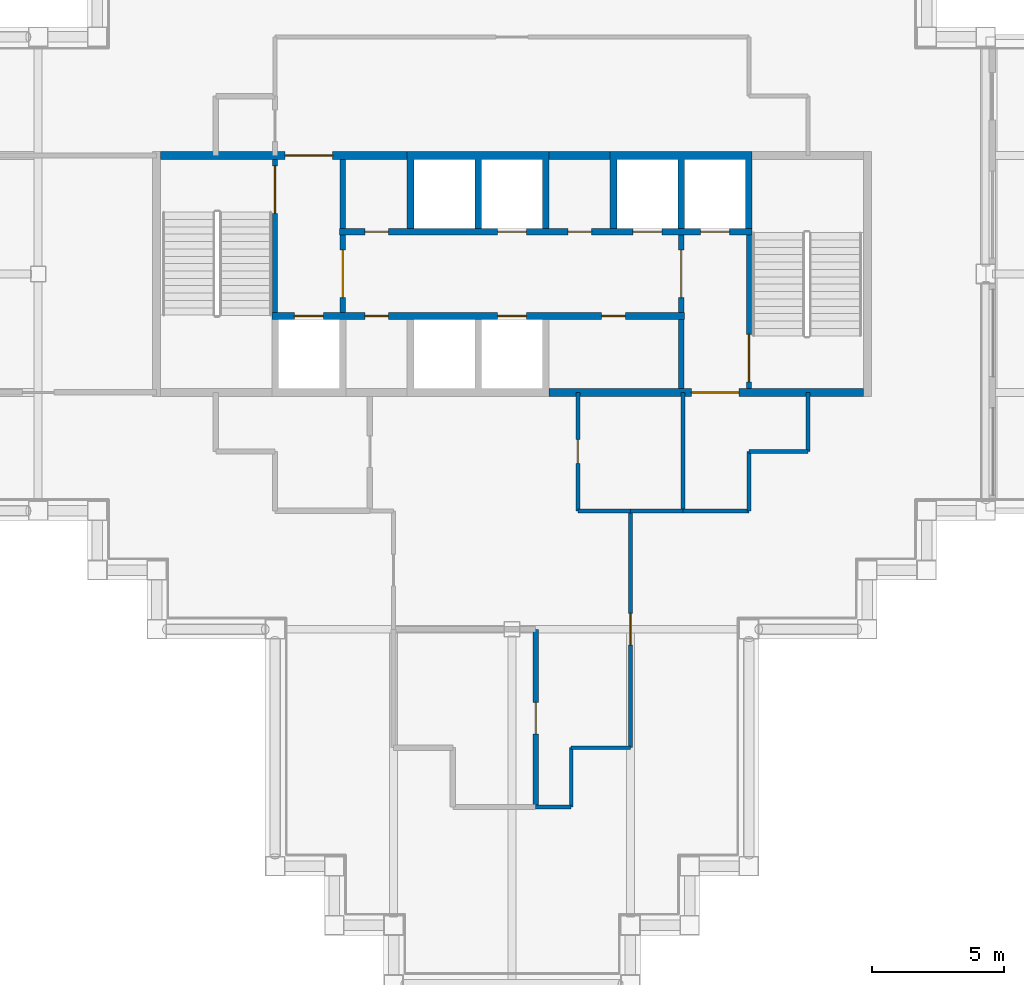
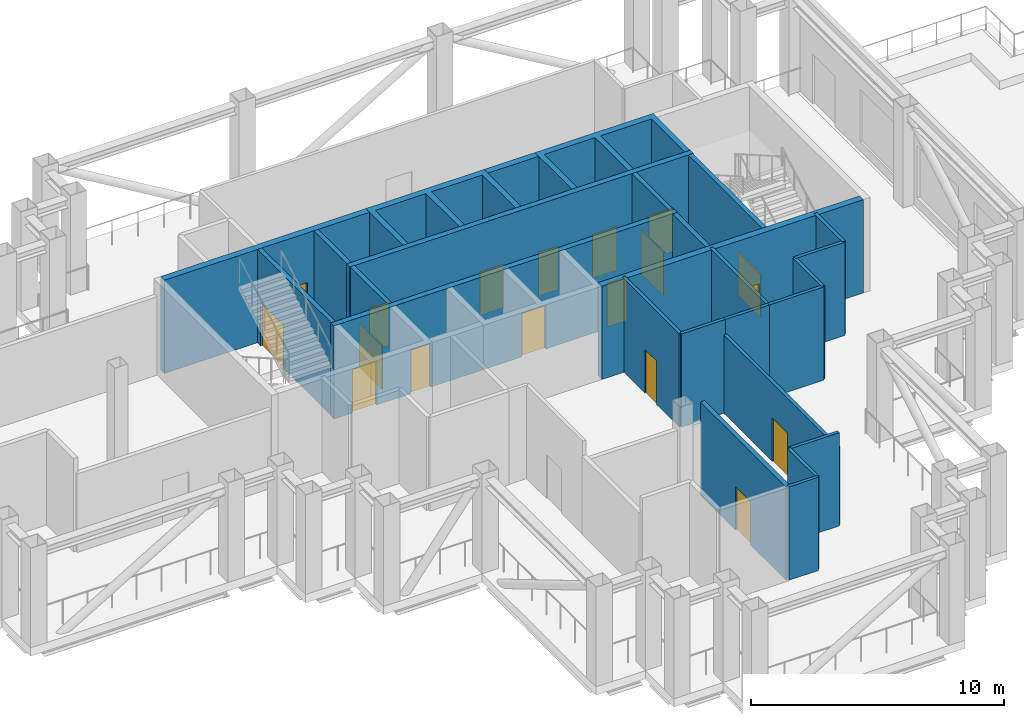
# One storey, part 3 of 10: 26 walls, 18 doors, 18 openings.
"""IFC4 building model written with IfcOpenShell, lengths in metres."""

from ifc_helpers import new_model, si_unit, direction, frame, frame_2d, origin, place, context, subcontext, project, spatial, polyline, rectangle, outline, extrude, material, layer, layer_set, type_object, element, fill, save


model = new_model("IFC4")

# Units and contexts
model_context = context("Model", 3, precision=1e-05, world=origin(), true_north=direction((0.0, 1.0)))
body_context = subcontext(model_context, "Body", "Model", "MODEL_VIEW")
ifc_project = project(units=[si_unit("LENGTHUNIT", "METRE"), si_unit("AREAUNIT", "SQUARE_METRE"), si_unit("VOLUMEUNIT", "CUBIC_METRE"), si_unit("PLANEANGLEUNIT", "RADIAN"), si_unit("MASSUNIT", "GRAM", prefix="KILO")], contexts=[model_context])

# Site, building, storey
site_placement = place(None, origin())
site = spatial("IfcSite", under=ifc_project, at=site_placement, CompositionType="ELEMENT")
building_placement = place(site_placement, origin())
building = spatial("IfcBuilding", under=site, at=building_placement, Name="Caravel Reach Hotel and Residences", CompositionType="ELEMENT")
storey_placement = place(building_placement, frame((0.0, 0.0, 187.60009765625)))
storey = spatial("IfcBuildingStorey", under=building, at=storey_placement, Name="L47", CompositionType="ELEMENT", Elevation=187.60009765625)

# Walls
ifc_material_1 = material(Name="Autoclaved aerated block wall")
ifc_layer_1 = layer(ifc_material_1, 0.199951171875)
ifc_layer_set_1 = layer_set([ifc_layer_1], Name="Compartment wall 200 mm EI 120")
wall_type_1 = type_object("IfcWallType", Name="Compartment wall 200 mm EI 120", PredefinedType="PARTITIONING", material=ifc_layer_set_1)
for number, where, z_axis, x_axis, name in (
    (1, (37.928466796875, 22.64990234375, 0.0), (0.0, 0.0, 1.0), (0.0, 1.0, 0.0), "L47 store partition"),
    (2, (25.071533203125, 28.72509765625, 0.0), (0.0, 0.0, 1.0), (0.0, 1.0, 0.0), "L47 store partition"),
):
    element("IfcWall", number, at=place(storey_placement, frame(where, z_axis=z_axis, x_axis=x_axis)), inside=storey, type_object=wall_type_1, Name=name, PredefinedType="PARTITIONING", context=body_context, shape_type="SweptSolid", body=[
        extrude(rectangle(XDim=2.625, YDim=0.199951171875, at=frame_2d((1.3125, 0.0))), origin(), (0.0, 0.0, 1.0), 4.5),
    ])

# Wall, opening, door
wall_1_placement = place(storey_placement, frame((32.39990234375, 6.75, 0.0), z_axis=(0.0, 0.0, 1.0), x_axis=(0.0, 1.0, 0.0)))
wall_1 = element("IfcWall", 3, at=wall_1_placement, inside=storey, type_object=wall_type_1, Name="L47 wall w037", PredefinedType="PARTITIONING", context=body_context, shape_type="SweptSolid", body=[
    extrude(rectangle(XDim=6.75, YDim=0.199951171875, at=frame_2d((3.375, 0.0))), origin(), (0.0, 0.0, 1.0), 4.5),
])
opening_1_placement = place(wall_1_placement, frame((2.77490234375, 0.0, 0.0)))
opening_1 = element("IfcOpeningElement", 4, at=opening_1_placement, cuts=wall_1, Name="Opening D47-017", PredefinedType="OPENING", context=body_context, shape_type="SweptSolid", body=[
    extrude(rectangle(XDim=1.199951171875, YDim=2.10009765625, at=frame_2d((0.60009765625, 1.050048828125))), frame((0.0, 0.10986328125, 0.0), z_axis=(0.0, -1.0, 0.0), x_axis=(1.0, 0.0, 0.0)), (0.0, 0.0, 1.0), 0.219970703125),
])
ifc_material_2 = material(Name="Steel fire door leaf", Category="steel")
door_type_1 = type_object("IfcDoorType", Name="Plant room door 1200 x 2100 EI 60", OperationType="SINGLE_SWING_LEFT", PredefinedType="DOOR", material=ifc_material_2)
door_1_placement = place(opening_1_placement, origin())
door_1 = element("IfcDoor", 5, at=door_1_placement, inside=storey, type_object=door_type_1, Name="door D47-017", OperationType="SINGLE_SWING_LEFT", OverallHeight=2.10009765625, OverallWidth=1.199951171875, PredefinedType="DOOR", context=body_context, shape_type="SweptSolid", body=[
    extrude(rectangle(XDim=1.199951171875, YDim=2.10009765625, at=frame_2d((0.60009765625, 1.050048828125))), frame((0.0, 0.02490234375, 0.0), z_axis=(0.0, -1.0, 0.0), x_axis=(1.0, 0.0, 0.0)), (0.0, 0.0, 1.0), 0.050048828125),
])
fill(opening_1, door_1)

ifc_material_3 = material(Name="Concrete C60", Category="concrete")
ifc_layer_2 = layer(ifc_material_3, 0.300048828125)
ifc_layer_set_2 = layer_set([ifc_layer_2], Name="Core wall 300 mm EI 120")
wall_type_2 = type_object("IfcWallType", Name="Core wall 300 mm EI 120", PredefinedType="SHEAR", material=ifc_layer_set_2)
wall_2_placement = place(storey_placement, frame((32.91064453125, 22.5, 0.0), z_axis=(0.0, 0.0, 1.0), x_axis=(1.0, 0.0, 0.0)))
wall_2 = element("IfcWall", 6, at=wall_2_placement, inside=storey, type_object=wall_type_2, Name="L47 core wall S3", PredefinedType="SHEAR", context=body_context, shape_type="SweptSolid", body=[
    extrude(rectangle(XDim=11.939453125, YDim=0.300048828125, at=frame_2d((5.9697265625, 0.0))), origin(), (0.0, 0.0, 1.0), 4.5),
])
opening_2_placement = place(wall_2_placement, frame((5.403564453125, 0.0, 0.0)))
opening_2 = element("IfcOpeningElement", 7, at=opening_2_placement, cuts=wall_2, Name="Opening D47-015", PredefinedType="OPENING", context=body_context, shape_type="SweptSolid", body=[
    extrude(rectangle(XDim=1.800048828125, YDim=2.10009765625, at=frame_2d((0.89990234375, 1.050048828125))), frame((0.0, 0.159912109375, 0.0), z_axis=(0.0, -1.0, 0.0), x_axis=(1.0, 0.0, 0.0)), (0.0, 0.0, 1.0), 0.320068359375),
])
ifc_material_4 = material(Name="Steel fire door leaf", Category="steel")
door_type_2 = type_object("IfcDoorType", Name="Fire lobby door pair 1800 x 2100 EI 90", OperationType="DOUBLE_DOOR_SINGLE_SWING", PredefinedType="DOOR", material=ifc_material_4)
door_2_placement = place(opening_2_placement, origin())
door_2 = element("IfcDoor", 8, at=door_2_placement, inside=storey, type_object=door_type_2, Name="lobby S door pair to corridor", OperationType="DOUBLE_DOOR_SINGLE_SWING", OverallHeight=2.10009765625, OverallWidth=1.800048828125, PredefinedType="DOOR", context=body_context, shape_type="SweptSolid", body=[
    extrude(rectangle(XDim=1.800048828125, YDim=2.10009765625, at=frame_2d((0.89990234375, 1.050048828125))), frame((0.0, 0.02490234375, 0.0), z_axis=(0.0, -1.0, 0.0), x_axis=(1.0, 0.0, 0.0)), (0.0, 0.0, 1.0), 0.050048828125),
])
fill(opening_2, door_2)

wall_3_placement = place(storey_placement, frame((18.14990234375, 31.5, 0.0), z_axis=(0.0, 0.0, 1.0), x_axis=(1.0, 0.0, 0.0)))
wall_3 = element("IfcWall", 9, at=wall_3_placement, inside=storey, type_object=wall_type_2, Name="L47 core wall N1", PredefinedType="SHEAR", context=body_context, shape_type="SweptSolid", body=[
    extrude(rectangle(XDim=9.367919921875, YDim=0.300048828125, at=frame_2d((4.68408203125, 0.0))), origin(), (0.0, 0.0, 1.0), 4.5),
])
opening_3_placement = place(wall_3_placement, frame((4.735595703125, 0.0, 0.0)))
opening_3 = element("IfcOpeningElement", 10, at=opening_3_placement, cuts=wall_3, Name="Opening D47-014", PredefinedType="OPENING", context=body_context, shape_type="SweptSolid", body=[
    extrude(rectangle(XDim=1.800048828125, YDim=2.10009765625, at=frame_2d((0.89990234375, 1.050048828125))), frame((0.0, 0.159912109375, 0.0), z_axis=(0.0, -1.0, 0.0), x_axis=(1.0, 0.0, 0.0)), (0.0, 0.0, 1.0), 0.320068359375),
])
door_3_placement = place(opening_3_placement, origin())
door_3 = element("IfcDoor", 11, at=door_3_placement, inside=storey, type_object=door_type_2, Name="lobby N door pair to corridor", OperationType="DOUBLE_DOOR_SINGLE_SWING", OverallHeight=2.10009765625, OverallWidth=1.800048828125, PredefinedType="DOOR", context=body_context, shape_type="SweptSolid", body=[
    extrude(rectangle(XDim=1.800048828125, YDim=2.10009765625, at=frame_2d((0.89990234375, 1.050048828125))), frame((0.0, 0.02490234375, 0.0), z_axis=(0.0, -1.0, 0.0), x_axis=(1.0, 0.0, 0.0)), (0.0, 0.0, 1.0), 0.050048828125),
])
fill(opening_3, door_3)

# Walls
wall_4_placement = place(storey_placement, frame((32.91064453125, 31.5, 0.0), z_axis=(0.0, 0.0, 1.0), x_axis=(1.0, 0.0, 0.0)))
element("IfcWall", 12, at=wall_4_placement, inside=storey, type_object=wall_type_2, Name="L47 core wall N2", PredefinedType="SHEAR", context=body_context, shape_type="SweptSolid", body=[
    extrude(rectangle(XDim=2.321533203125, YDim=0.300048828125, at=frame_2d((1.16064453125, 0.0))), origin(), (0.0, 0.0, 1.0), 4.5),
])
ifc_material_5 = material(Name="Gypsum board on steel stud, fire-rated", Category="steel")
ifc_layer_3 = layer(ifc_material_5, 0.14990234375)
ifc_layer_set_3 = layer_set([ifc_layer_3], Name="Corridor wall 150 mm EI 60")
wall_type_3 = type_object("IfcWallType", Name="Corridor wall 150 mm EI 60", PredefinedType="PARTITIONING", material=ifc_layer_set_3)
wall_5_placement = place(storey_placement, frame((38.0, 18.0, 0.0), z_axis=(0.0, 0.0, 1.0), x_axis=(1.0, 0.0, 0.0)))
element("IfcWall", 13, at=wall_5_placement, inside=storey, type_object=wall_type_3, Name="L47 wall w002", PredefinedType="PARTITIONING", context=body_context, shape_type="SweptSolid", body=[
    extrude(rectangle(XDim=2.5, YDim=0.14990234375, at=frame_2d((1.25, 0.0))), origin(), (0.0, 0.0, 1.0), 4.5),
])
for number, where, z_axis, x_axis, name in (
    (14, (36.0, 18.0, 0.0), (0.0, 0.0, 1.0), (1.0, 0.0, 0.0), "L47 wall w003"),
    (15, (34.0, 18.0, 0.0), (0.0, 0.0, 1.0), (1.0, 0.0, 0.0), "L47 wall w004"),
):
    element("IfcWall", number, at=place(storey_placement, frame(where, z_axis=z_axis, x_axis=x_axis)), inside=storey, type_object=wall_type_3, Name=name, PredefinedType="PARTITIONING", context=body_context, shape_type="SweptSolid", body=[
        extrude(rectangle(XDim=2.0, YDim=0.14990234375, at=frame_2d((1.0, 0.0))), origin(), (0.0, 0.0, 1.0), 4.5),
    ])
wall_6_placement = place(storey_placement, frame((40.5, 20.25, 0.0), z_axis=(0.0, 0.0, 1.0), x_axis=(1.0, 0.0, 0.0)))
element("IfcWall", 16, at=wall_6_placement, inside=storey, type_object=wall_type_3, Name="L47 wall w005", PredefinedType="PARTITIONING", context=body_context, shape_type="SweptSolid", body=[
    extrude(rectangle(XDim=2.25, YDim=0.14990234375, at=frame_2d((1.125, 0.0))), origin(), (0.0, 0.0, 1.0), 4.5),
])
wall_7_placement = place(storey_placement, frame((32.39990234375, 6.75, 0.0), z_axis=(0.0, 0.0, 1.0), x_axis=(1.0, 0.0, 0.0)))
element("IfcWall", 17, at=wall_7_placement, inside=storey, type_object=wall_type_3, Name="L47 wall w008", PredefinedType="PARTITIONING", context=body_context, shape_type="SweptSolid", body=[
    extrude(rectangle(XDim=1.35009765625, YDim=0.14990234375, at=frame_2d((0.675048828125, 0.0))), origin(), (0.0, 0.0, 1.0), 4.5),
])
for number, where, z_axis, x_axis, name in (
    (18, (33.75, 9.0, 0.0), (0.0, 0.0, 1.0), (1.0, 0.0, 0.0), "L47 wall w009"),
    (19, (33.75, 6.75, 0.0), (0.0, 0.0, 1.0), (0.0, 1.0, 0.0), "L47 wall w012"),
):
    element("IfcWall", number, at=place(storey_placement, frame(where, z_axis=z_axis, x_axis=x_axis)), inside=storey, type_object=wall_type_3, Name=name, PredefinedType="PARTITIONING", context=body_context, shape_type="SweptSolid", body=[
        extrude(rectangle(XDim=2.25, YDim=0.14990234375, at=frame_2d((1.125, 0.0))), origin(), (0.0, 0.0, 1.0), 4.5),
    ])

# Wall, opening, door
wall_8_placement = place(storey_placement, frame((34.0, 18.0, 0.0), z_axis=(0.0, 0.0, 1.0), x_axis=(0.0, 1.0, 0.0)))
wall_8 = element("IfcWall", 20, at=wall_8_placement, inside=storey, type_object=wall_type_3, Name="L47 wall w013", PredefinedType="PARTITIONING", context=body_context, shape_type="SweptSolid", body=[
    extrude(rectangle(XDim=4.5, YDim=0.14990234375, at=frame_2d((2.25, 0.0))), origin(), (0.0, 0.0, 1.0), 4.5),
])
opening_4_placement = place(wall_8_placement, frame((1.800048828125, 0.0, 0.0)))
opening_4 = element("IfcOpeningElement", 21, at=opening_4_placement, cuts=wall_8, Name="Opening D47-019", PredefinedType="OPENING", context=body_context, shape_type="SweptSolid", body=[
    extrude(rectangle(XDim=0.89990234375, YDim=2.10009765625, at=frame_2d((0.449951171875, 1.050048828125))), frame((0.0, 0.0849609375, 0.0), z_axis=(0.0, -1.0, 0.0), x_axis=(1.0, 0.0, 0.0)), (0.0, 0.0, 1.0), 0.169921875),
])
ifc_material_6 = material(Name="Timber and steel door leaf", Category="steel")
door_type_3 = type_object("IfcDoorType", Name="Door 900 x 2100 timber", OperationType="SINGLE_SWING_LEFT", PredefinedType="DOOR", material=ifc_material_6)
door_4_placement = place(opening_4_placement, origin())
door_4 = element("IfcDoor", 22, at=door_4_placement, inside=storey, type_object=door_type_3, Name="door D47-019", OperationType="SINGLE_SWING_LEFT", OverallHeight=2.10009765625, OverallWidth=0.89990234375, PredefinedType="DOOR", context=body_context, shape_type="SweptSolid", body=[
    extrude(rectangle(XDim=0.89990234375, YDim=2.10009765625, at=frame_2d((0.449951171875, 1.050048828125))), frame((0.0, 0.02490234375, 0.0), z_axis=(0.0, -1.0, 0.0), x_axis=(1.0, 0.0, 0.0)), (0.0, 0.0, 1.0), 0.050048828125),
])
fill(opening_4, door_4)

wall_9_placement = place(storey_placement, frame((36.0, 9.0, 0.0), z_axis=(0.0, 0.0, 1.0), x_axis=(0.0, 1.0, 0.0)))
wall_9 = element("IfcWall", 23, at=wall_9_placement, inside=storey, type_object=wall_type_3, Name="L47 wall w014", PredefinedType="PARTITIONING", context=body_context, shape_type="SweptSolid", body=[
    extrude(rectangle(XDim=9.0, YDim=0.14990234375, at=frame_2d((4.5, 0.0))), origin(), (0.0, 0.0, 1.0), 3.77978515625),
])
opening_5_placement = place(wall_9_placement, frame((3.89990234375, 0.0, 0.0)))
opening_5 = element("IfcOpeningElement", 24, at=opening_5_placement, cuts=wall_9, Name="Opening D47-021", PredefinedType="OPENING", context=body_context, shape_type="SweptSolid", body=[
    extrude(rectangle(XDim=1.199951171875, YDim=2.10009765625, at=frame_2d((0.60009765625, 1.050048828125))), frame((0.0, 0.0849609375, 0.0), z_axis=(0.0, -1.0, 0.0), x_axis=(1.0, 0.0, 0.0)), (0.0, 0.0, 1.0), 0.169921875),
])
ifc_material_7 = material(Name="Steel fire door leaf", Category="steel")
door_type_4 = type_object("IfcDoorType", Name="Refuge hall door 1200 x 2100 EI 60", OperationType="SINGLE_SWING_LEFT", PredefinedType="DOOR", material=ifc_material_7)
door_5_placement = place(opening_5_placement, origin())
door_5 = element("IfcDoor", 25, at=door_5_placement, inside=storey, type_object=door_type_4, Name="door D47-021", OperationType="SINGLE_SWING_LEFT", OverallHeight=2.10009765625, OverallWidth=1.199951171875, PredefinedType="DOOR", context=body_context, shape_type="SweptSolid", body=[
    extrude(rectangle(XDim=1.199951171875, YDim=2.10009765625, at=frame_2d((0.60009765625, 1.050048828125))), frame((0.0, 0.02490234375, 0.0), z_axis=(0.0, -1.0, 0.0), x_axis=(1.0, 0.0, 0.0)), (0.0, 0.0, 1.0), 0.050048828125),
])
fill(opening_5, door_5)

# Walls
wall_10_placement = place(storey_placement, frame((38.0, 18.0, 0.0), z_axis=(0.0, 0.0, 1.0), x_axis=(0.0, 1.0, 0.0)))
element("IfcWall", 26, at=wall_10_placement, inside=storey, type_object=wall_type_3, Name="L47 wall w015", PredefinedType="PARTITIONING", context=body_context, shape_type="SweptSolid", body=[
    extrude(rectangle(XDim=4.5, YDim=0.14990234375, at=frame_2d((2.25, 0.0))), origin(), (0.0, 0.0, 1.0), 4.5),
])
for number, where, z_axis, x_axis, name in (
    (27, (40.5, 18.0, 0.0), (0.0, 0.0, 1.0), (0.0, 1.0, 0.0), "L47 wall w017"),
    (28, (42.75, 20.25, 0.0), (0.0, 0.0, 1.0), (0.0, 1.0, 0.0), "L47 wall w019"),
):
    element("IfcWall", number, at=place(storey_placement, frame(where, z_axis=z_axis, x_axis=x_axis)), inside=storey, type_object=wall_type_3, Name=name, PredefinedType="PARTITIONING", context=body_context, shape_type="SweptSolid", body=[
        extrude(rectangle(XDim=2.25, YDim=0.14990234375, at=frame_2d((1.125, 0.0))), origin(), (0.0, 0.0, 1.0), 4.5),
    ])

# Wall, opening, door
ifc_material_8 = material(Name="Autoclaved aerated block wall")
ifc_layer_4 = layer(ifc_material_8, 0.199951171875)
ifc_layer_set_4 = layer_set([ifc_layer_4], Name="Fire lobby wall 200 mm EI 120")
wall_type_4 = type_object("IfcWallType", Name="Fire lobby wall 200 mm EI 120", PredefinedType="PARTITIONING", material=ifc_layer_set_4)
wall_11_placement = place(storey_placement, frame((25.071533203125, 25.52490234375, 0.0), z_axis=(0.0, 0.0, 1.0), x_axis=(0.0, 1.0, 0.0)))
wall_11 = element("IfcWall", 29, at=wall_11_placement, inside=storey, type_object=wall_type_4, Name="L47 lobby W wall", PredefinedType="PARTITIONING", context=body_context, shape_type="SweptSolid", body=[
    extrude(rectangle(XDim=2.9501953125, YDim=0.199951171875, at=frame_2d((1.47509765625, 0.0))), origin(), (0.0, 0.0, 1.0), 4.5),
])
opening_6_placement = place(wall_11_placement, frame((0.574951171875, 0.0, 0.0)))
opening_6 = element("IfcOpeningElement", 30, at=opening_6_placement, cuts=wall_11, Name="Opening D47-012", PredefinedType="OPENING", context=body_context, shape_type="SweptSolid", body=[
    extrude(rectangle(XDim=1.800048828125, YDim=2.10009765625, at=frame_2d((0.89990234375, 1.050048828125))), frame((0.0, 0.10986328125, 0.0), z_axis=(0.0, -1.0, 0.0), x_axis=(1.0, 0.0, 0.0)), (0.0, 0.0, 1.0), 0.219970703125),
])
door_6_placement = place(opening_6_placement, origin())
door_6 = element("IfcDoor", 31, at=door_6_placement, inside=storey, type_object=door_type_2, Name="lobby W door pair", OperationType="DOUBLE_DOOR_SINGLE_SWING", OverallHeight=2.10009765625, OverallWidth=1.800048828125, PredefinedType="DOOR", context=body_context, shape_type="SweptSolid", body=[
    extrude(rectangle(XDim=1.800048828125, YDim=2.10009765625, at=frame_2d((0.89990234375, 1.050048828125))), frame((0.0, 0.02490234375, 0.0), z_axis=(0.0, -1.0, 0.0), x_axis=(1.0, 0.0, 0.0)), (0.0, 0.0, 1.0), 0.050048828125),
])
fill(opening_6, door_6)

wall_12_placement = place(storey_placement, frame((37.928466796875, 25.52490234375, 0.0), z_axis=(0.0, 0.0, 1.0), x_axis=(0.0, 1.0, 0.0)))
wall_12 = element("IfcWall", 32, at=wall_12_placement, inside=storey, type_object=wall_type_4, Name="L47 lobby E wall", PredefinedType="PARTITIONING", context=body_context, shape_type="SweptSolid", body=[
    extrude(rectangle(XDim=2.9501953125, YDim=0.199951171875, at=frame_2d((1.47509765625, 0.0))), origin(), (0.0, 0.0, 1.0), 4.5),
])
opening_7_placement = place(wall_12_placement, frame((0.574951171875, 0.0, 0.0)))
opening_7 = element("IfcOpeningElement", 33, at=opening_7_placement, cuts=wall_12, Name="Opening D47-013", PredefinedType="OPENING", context=body_context, shape_type="SweptSolid", body=[
    extrude(rectangle(XDim=1.800048828125, YDim=2.10009765625, at=frame_2d((0.89990234375, 1.050048828125))), frame((0.0, 0.10986328125, 0.0), z_axis=(0.0, -1.0, 0.0), x_axis=(1.0, 0.0, 0.0)), (0.0, 0.0, 1.0), 0.219970703125),
])
door_7_placement = place(opening_7_placement, origin())
door_7 = element("IfcDoor", 34, at=door_7_placement, inside=storey, type_object=door_type_2, Name="lobby E door pair", OperationType="DOUBLE_DOOR_SINGLE_SWING", OverallHeight=2.10009765625, OverallWidth=1.800048828125, PredefinedType="DOOR", context=body_context, shape_type="SweptSolid", body=[
    extrude(rectangle(XDim=1.800048828125, YDim=2.10009765625, at=frame_2d((0.89990234375, 1.050048828125))), frame((0.0, 0.02490234375, 0.0), z_axis=(0.0, -1.0, 0.0), x_axis=(1.0, 0.0, 0.0)), (0.0, 0.0, 1.0), 0.050048828125),
])
fill(opening_7, door_7)

# Walls
ifc_material_9 = material(Name="Concrete C60", Category="concrete")
ifc_layer_5 = layer(ifc_material_9, 0.25)
ifc_layer_set_5 = layer_set([ifc_layer_5], Name="Shaft wall 250 mm EI 120")
wall_type_5 = type_object("IfcWallType", Name="Shaft wall 250 mm EI 120", PredefinedType="SHEAR", material=ifc_layer_set_5)
wall_13_placement = place(storey_placement, origin())
element("IfcWall", 35, at=wall_13_placement, inside=storey, type_object=wall_type_5, Name="L47 lift shaft wall N1", PredefinedType="SHEAR", context=body_context, shape_type="SweptSolid", body=[
    extrude(outline(polyline([(27.517822265625, 28.72509765625), (27.767822265625, 28.72509765625), (27.767822265625, 31.35009765625), (30.08935546875, 31.35009765625), (30.08935546875, 28.72509765625), (30.33935546875, 28.72509765625), (30.33935546875, 31.35009765625), (32.66064453125, 31.35009765625), (32.66064453125, 28.72509765625), (32.91064453125, 28.72509765625), (32.91064453125, 31.64990234375), (27.517822265625, 31.64990234375), (27.517822265625, 28.72509765625)])), origin(), (0.0, 0.0, 1.0), 4.5),
])
wall_14_placement = place(storey_placement, origin())
element("IfcWall", 36, at=wall_14_placement, inside=storey, type_object=wall_type_5, Name="L47 lift shaft wall N2", PredefinedType="SHEAR", context=body_context, shape_type="SweptSolid", body=[
    extrude(outline(polyline([(35.232177734375, 28.72509765625), (35.482177734375, 28.72509765625), (35.482177734375, 31.35009765625), (37.803466796875, 31.35009765625), (37.803466796875, 28.72509765625), (38.053466796875, 28.72509765625), (38.053466796875, 31.35009765625), (40.375, 31.35009765625), (40.375, 28.72509765625), (40.625, 28.72509765625), (40.625, 31.64990234375), (35.232177734375, 31.64990234375), (35.232177734375, 28.72509765625)])), origin(), (0.0, 0.0, 1.0), 4.5),
])

# Wall, openings, doors
wall_15_placement = place(storey_placement, frame((22.375, 25.39990234375, 0.0), z_axis=(0.0, 0.0, 1.0), x_axis=(1.0, 0.0, 0.0)))
wall_15 = element("IfcWall", 37, at=wall_15_placement, inside=storey, type_object=wall_type_5, Name="L47 lobby wall S1", PredefinedType="SHEAR", context=body_context, shape_type="SweptSolid", body=[
    extrude(rectangle(XDim=15.678466796875, YDim=0.25, at=frame_2d((7.83935546875, 0.0))), origin(), (0.0, 0.0, 1.0), 4.5),
])
opening_8_placement = place(wall_15_placement, frame((8.574951171875, 0.0, 0.0)))
opening_8 = element("IfcOpeningElement", 38, at=opening_8_placement, cuts=wall_15, Name="Opening D47-001", PredefinedType="OPENING", context=body_context, shape_type="SweptSolid", body=[
    extrude(rectangle(XDim=1.10009765625, YDim=2.10009765625, at=frame_2d((0.550048828125, 1.050048828125))), frame((0.0, 0.135009765625, 0.0), z_axis=(0.0, -1.0, 0.0), x_axis=(1.0, 0.0, 0.0)), (0.0, 0.0, 1.0), 0.27001953125),
])
opening_9_placement = place(wall_15_placement, frame((0.860595703125, 0.0, 0.0)))
opening_9 = element("IfcOpeningElement", 39, at=opening_9_placement, cuts=wall_15, Name="Opening D47-004", PredefinedType="OPENING", context=body_context, shape_type="SweptSolid", body=[
    extrude(rectangle(XDim=1.10009765625, YDim=2.10009765625, at=frame_2d((0.550048828125, 1.050048828125))), frame((0.0, 0.135009765625, 0.0), z_axis=(0.0, -1.0, 0.0), x_axis=(1.0, 0.0, 0.0)), (0.0, 0.0, 1.0), 0.27001953125),
])
opening_10_placement = place(wall_15_placement, frame((3.531982421875, 0.0, 0.0)))
opening_10 = element("IfcOpeningElement", 40, at=opening_10_placement, cuts=wall_15, Name="Opening D47-006", PredefinedType="OPENING", context=body_context, shape_type="SweptSolid", body=[
    extrude(rectangle(XDim=0.89990234375, YDim=2.10009765625, at=frame_2d((0.449951171875, 1.050048828125))), frame((0.0, 0.135009765625, 0.0), z_axis=(0.0, -1.0, 0.0), x_axis=(1.0, 0.0, 0.0)), (0.0, 0.0, 1.0), 0.27001953125),
])
opening_11_placement = place(wall_15_placement, frame((12.531982421875, 0.0, 0.0)))
opening_11 = element("IfcOpeningElement", 41, at=opening_11_placement, cuts=wall_15, Name="Opening D47-007", PredefinedType="OPENING", context=body_context, shape_type="SweptSolid", body=[
    extrude(rectangle(XDim=0.89990234375, YDim=2.10009765625, at=frame_2d((0.449951171875, 1.050048828125))), frame((0.0, 0.135009765625, 0.0), z_axis=(0.0, -1.0, 0.0), x_axis=(1.0, 0.0, 0.0)), (0.0, 0.0, 1.0), 0.27001953125),
])
ifc_material_10 = material(Name="Stainless steel landing door", Category="steel")
door_type_5 = type_object("IfcDoorType", Name="Landing door LD 1100 x 2100 sliding", OperationType="DOUBLE_DOOR_SLIDING", PredefinedType="DOOR", material=ifc_material_10)
door_8_placement = place(opening_8_placement, origin())
door_8 = element("IfcDoor", 42, at=door_8_placement, inside=storey, type_object=door_type_5, Name="MP1 landing door", OperationType="DOUBLE_DOOR_SLIDING", OverallHeight=2.10009765625, OverallWidth=1.10009765625, PredefinedType="DOOR", context=body_context, shape_type="SweptSolid", body=[
    extrude(rectangle(XDim=1.10009765625, YDim=2.10009765625, at=frame_2d((0.550048828125, 1.050048828125))), frame((0.0, 0.02490234375, 0.0), z_axis=(0.0, -1.0, 0.0), x_axis=(1.0, 0.0, 0.0)), (0.0, 0.0, 1.0), 0.050048828125),
])
fill(opening_8, door_8)
door_9_placement = place(opening_9_placement, origin())
door_9 = element("IfcDoor", 43, at=door_9_placement, inside=storey, type_object=door_type_5, Name="FL1 landing door", OperationType="DOUBLE_DOOR_SLIDING", OverallHeight=2.10009765625, OverallWidth=1.10009765625, PredefinedType="DOOR", context=body_context, shape_type="SweptSolid", body=[
    extrude(rectangle(XDim=1.10009765625, YDim=2.10009765625, at=frame_2d((0.550048828125, 1.050048828125))), frame((0.0, 0.02490234375, 0.0), z_axis=(0.0, -1.0, 0.0), x_axis=(1.0, 0.0, 0.0)), (0.0, 0.0, 1.0), 0.050048828125),
])
fill(opening_9, door_9)
ifc_material_11 = material(Name="Steel fire door leaf", Category="steel")
door_type_6 = type_object("IfcDoorType", Name="Riser door 900 x 2100 EI 60", OperationType="SINGLE_SWING_LEFT", PredefinedType="DOOR", material=ifc_material_11)
door_10_placement = place(opening_10_placement, origin())
door_10 = element("IfcDoor", 44, at=door_10_placement, inside=storey, type_object=door_type_6, Name="Mail store door", OperationType="SINGLE_SWING_LEFT", OverallHeight=2.10009765625, OverallWidth=0.89990234375, PredefinedType="DOOR", context=body_context, shape_type="SweptSolid", body=[
    extrude(rectangle(XDim=0.89990234375, YDim=2.10009765625, at=frame_2d((0.449951171875, 1.050048828125))), frame((0.0, 0.02490234375, 0.0), z_axis=(0.0, -1.0, 0.0), x_axis=(1.0, 0.0, 0.0)), (0.0, 0.0, 1.0), 0.050048828125),
])
fill(opening_10, door_10)
door_11_placement = place(opening_11_placement, origin())
door_11 = element("IfcDoor", 45, at=door_11_placement, inside=storey, type_object=door_type_6, Name="Package store door", OperationType="SINGLE_SWING_LEFT", OverallHeight=2.10009765625, OverallWidth=0.89990234375, PredefinedType="DOOR", context=body_context, shape_type="SweptSolid", body=[
    extrude(rectangle(XDim=0.89990234375, YDim=2.10009765625, at=frame_2d((0.449951171875, 1.050048828125))), frame((0.0, 0.02490234375, 0.0), z_axis=(0.0, -1.0, 0.0), x_axis=(1.0, 0.0, 0.0)), (0.0, 0.0, 1.0), 0.050048828125),
])
fill(opening_11, door_11)

wall_16_placement = place(storey_placement, frame((24.946533203125, 28.60009765625, 0.0), z_axis=(0.0, 0.0, 1.0), x_axis=(1.0, 0.0, 0.0)))
wall_16 = element("IfcWall", 46, at=wall_16_placement, inside=storey, type_object=wall_type_5, Name="L47 lobby wall N1", PredefinedType="SHEAR", context=body_context, shape_type="SweptSolid", body=[
    extrude(rectangle(XDim=15.678466796875, YDim=0.25, at=frame_2d((7.83935546875, 0.0))), origin(), (0.0, 0.0, 1.0), 4.5),
])
opening_12_placement = place(wall_16_placement, frame((6.003662109375, 0.0, 0.0)))
opening_12 = element("IfcOpeningElement", 47, at=opening_12_placement, cuts=wall_16, Name="Opening D47-002", PredefinedType="OPENING", context=body_context, shape_type="SweptSolid", body=[
    extrude(rectangle(XDim=1.10009765625, YDim=2.10009765625, at=frame_2d((0.550048828125, 1.050048828125))), frame((0.0, 0.135009765625, 0.0), z_axis=(0.0, -1.0, 0.0), x_axis=(1.0, 0.0, 0.0)), (0.0, 0.0, 1.0), 0.27001953125),
])
opening_13_placement = place(wall_16_placement, frame((11.146484375, 0.0, 0.0)))
opening_13 = element("IfcOpeningElement", 48, at=opening_13_placement, cuts=wall_16, Name="Opening D47-003", PredefinedType="OPENING", context=body_context, shape_type="SweptSolid", body=[
    extrude(rectangle(XDim=1.10009765625, YDim=2.10009765625, at=frame_2d((0.550048828125, 1.050048828125))), frame((0.0, 0.135009765625, 0.0), z_axis=(0.0, -1.0, 0.0), x_axis=(1.0, 0.0, 0.0)), (0.0, 0.0, 1.0), 0.27001953125),
])
opening_14_placement = place(wall_16_placement, frame((13.718017578125, 0.0, 0.0)))
opening_14 = element("IfcOpeningElement", 49, at=opening_14_placement, cuts=wall_16, Name="Opening D47-005", PredefinedType="OPENING", context=body_context, shape_type="SweptSolid", body=[
    extrude(rectangle(XDim=1.10009765625, YDim=2.10009765625, at=frame_2d((0.550048828125, 1.050048828125))), frame((0.0, 0.135009765625, 0.0), z_axis=(0.0, -1.0, 0.0), x_axis=(1.0, 0.0, 0.0)), (0.0, 0.0, 1.0), 0.27001953125),
])
opening_15_placement = place(wall_16_placement, frame((0.960693359375, 0.0, 0.0)))
opening_15 = element("IfcOpeningElement", 50, at=opening_15_placement, cuts=wall_16, Name="Opening D47-008", PredefinedType="OPENING", context=body_context, shape_type="SweptSolid", body=[
    extrude(rectangle(XDim=0.89990234375, YDim=2.10009765625, at=frame_2d((0.449951171875, 1.050048828125))), frame((0.0, 0.135009765625, 0.0), z_axis=(0.0, -1.0, 0.0), x_axis=(1.0, 0.0, 0.0)), (0.0, 0.0, 1.0), 0.27001953125),
])
opening_16_placement = place(wall_16_placement, frame((8.675048828125, 0.0, 0.0)))
opening_16 = element("IfcOpeningElement", 51, at=opening_16_placement, cuts=wall_16, Name="Opening D47-009", PredefinedType="OPENING", context=body_context, shape_type="SweptSolid", body=[
    extrude(rectangle(XDim=0.89990234375, YDim=2.10009765625, at=frame_2d((0.449951171875, 1.050048828125))), frame((0.0, 0.135009765625, 0.0), z_axis=(0.0, -1.0, 0.0), x_axis=(1.0, 0.0, 0.0)), (0.0, 0.0, 1.0), 0.27001953125),
])
door_12_placement = place(opening_12_placement, origin())
door_12 = element("IfcDoor", 52, at=door_12_placement, inside=storey, type_object=door_type_5, Name="MP2 landing door", OperationType="DOUBLE_DOOR_SLIDING", OverallHeight=2.10009765625, OverallWidth=1.10009765625, PredefinedType="DOOR", context=body_context, shape_type="SweptSolid", body=[
    extrude(rectangle(XDim=1.10009765625, YDim=2.10009765625, at=frame_2d((0.550048828125, 1.050048828125))), frame((0.0, 0.02490234375, 0.0), z_axis=(0.0, -1.0, 0.0), x_axis=(1.0, 0.0, 0.0)), (0.0, 0.0, 1.0), 0.050048828125),
])
fill(opening_12, door_12)
door_13_placement = place(opening_13_placement, origin())
door_13 = element("IfcDoor", 53, at=door_13_placement, inside=storey, type_object=door_type_5, Name="MP3 landing door", OperationType="DOUBLE_DOOR_SLIDING", OverallHeight=2.10009765625, OverallWidth=1.10009765625, PredefinedType="DOOR", context=body_context, shape_type="SweptSolid", body=[
    extrude(rectangle(XDim=1.10009765625, YDim=2.10009765625, at=frame_2d((0.550048828125, 1.050048828125))), frame((0.0, 0.02490234375, 0.0), z_axis=(0.0, -1.0, 0.0), x_axis=(1.0, 0.0, 0.0)), (0.0, 0.0, 1.0), 0.050048828125),
])
fill(opening_13, door_13)
door_14_placement = place(opening_14_placement, origin())
door_14 = element("IfcDoor", 54, at=door_14_placement, inside=storey, type_object=door_type_5, Name="FL2 landing door", OperationType="DOUBLE_DOOR_SLIDING", OverallHeight=2.10009765625, OverallWidth=1.10009765625, PredefinedType="DOOR", context=body_context, shape_type="SweptSolid", body=[
    extrude(rectangle(XDim=1.10009765625, YDim=2.10009765625, at=frame_2d((0.550048828125, 1.050048828125))), frame((0.0, 0.02490234375, 0.0), z_axis=(0.0, -1.0, 0.0), x_axis=(1.0, 0.0, 0.0)), (0.0, 0.0, 1.0), 0.050048828125),
])
fill(opening_14, door_14)
door_15_placement = place(opening_15_placement, origin())
door_15 = element("IfcDoor", 55, at=door_15_placement, inside=storey, type_object=door_type_6, Name="Residents' store door", OperationType="SINGLE_SWING_LEFT", OverallHeight=2.10009765625, OverallWidth=0.89990234375, PredefinedType="DOOR", context=body_context, shape_type="SweptSolid", body=[
    extrude(rectangle(XDim=0.89990234375, YDim=2.10009765625, at=frame_2d((0.449951171875, 1.050048828125))), frame((0.0, 0.02490234375, 0.0), z_axis=(0.0, -1.0, 0.0), x_axis=(1.0, 0.0, 0.0)), (0.0, 0.0, 1.0), 0.050048828125),
])
fill(opening_15, door_15)
door_16_placement = place(opening_16_placement, origin())
door_16 = element("IfcDoor", 56, at=door_16_placement, inside=storey, type_object=door_type_6, Name="Linen store door", OperationType="SINGLE_SWING_LEFT", OverallHeight=2.10009765625, OverallWidth=0.89990234375, PredefinedType="DOOR", context=body_context, shape_type="SweptSolid", body=[
    extrude(rectangle(XDim=0.89990234375, YDim=2.10009765625, at=frame_2d((0.449951171875, 1.050048828125))), frame((0.0, 0.02490234375, 0.0), z_axis=(0.0, -1.0, 0.0), x_axis=(1.0, 0.0, 0.0)), (0.0, 0.0, 1.0), 0.050048828125),
])
fill(opening_16, door_16)

# Wall, opening, door
ifc_material_12 = material(Name="Concrete C60", Category="concrete")
ifc_layer_6 = layer(ifc_material_12, 0.199951171875)
ifc_layer_set_6 = layer_set([ifc_layer_6], Name="Stair enclosure wall 200 mm EI 120")
wall_type_6 = type_object("IfcWallType", Name="Stair enclosure wall 200 mm EI 120", PredefinedType="SHEAR", material=ifc_layer_set_6)
wall_17_placement = place(storey_placement, frame((22.5, 31.35009765625, 0.0), z_axis=(0.0, 0.0, 1.0), x_axis=(0.0, -1.0, 0.0)))
wall_17 = element("IfcWall", 57, at=wall_17_placement, inside=storey, type_object=wall_type_6, Name="L47 stair A wall", PredefinedType="SHEAR", context=body_context, shape_type="SweptSolid", body=[
    extrude(rectangle(XDim=5.8251953125, YDim=0.199951171875, at=frame_2d((2.91259765625, 0.0))), origin(), (0.0, 0.0, 1.0), 4.5),
])
opening_17_placement = place(wall_17_placement, frame((0.25, 0.0, 0.0)))
opening_17 = element("IfcOpeningElement", 58, at=opening_17_placement, cuts=wall_17, Name="Opening D47-010", PredefinedType="OPENING", context=body_context, shape_type="SweptSolid", body=[
    extrude(rectangle(XDim=1.800048828125, YDim=2.10009765625, at=frame_2d((0.89990234375, 1.050048828125))), frame((0.0, 0.10986328125, 0.0), z_axis=(0.0, -1.0, 0.0), x_axis=(1.0, 0.0, 0.0)), (0.0, 0.0, 1.0), 0.219970703125),
])
ifc_material_13 = material(Name="Steel fire door leaf", Category="steel")
door_type_7 = type_object("IfcDoorType", Name="Stair door pair 1800 x 2100 EI 90", OperationType="DOUBLE_DOOR_SINGLE_SWING", PredefinedType="DOOR", material=ifc_material_13)
door_17_placement = place(opening_17_placement, origin())
door_17 = element("IfcDoor", 59, at=door_17_placement, inside=storey, type_object=door_type_7, Name="stair A door pair", OperationType="DOUBLE_DOOR_SINGLE_SWING", OverallHeight=2.10009765625, OverallWidth=1.800048828125, PredefinedType="DOOR", context=body_context, shape_type="SweptSolid", body=[
    extrude(rectangle(XDim=1.800048828125, YDim=2.10009765625, at=frame_2d((0.89990234375, 1.050048828125))), frame((0.0, 0.02490234375, 0.0), z_axis=(0.0, -1.0, 0.0), x_axis=(1.0, 0.0, 0.0)), (0.0, 0.0, 1.0), 0.050048828125),
])
fill(opening_17, door_17)

wall_18_placement = place(storey_placement, frame((40.5, 22.64990234375, 0.0), z_axis=(0.0, 0.0, 1.0), x_axis=(0.0, 1.0, 0.0)))
wall_18 = element("IfcWall", 60, at=wall_18_placement, inside=storey, type_object=wall_type_6, Name="L47 stair B wall", PredefinedType="SHEAR", context=body_context, shape_type="SweptSolid", body=[
    extrude(rectangle(XDim=5.8251953125, YDim=0.199951171875, at=frame_2d((2.91259765625, 0.0))), origin(), (0.0, 0.0, 1.0), 4.5),
])
opening_18_placement = place(wall_18_placement, frame((0.25, 0.0, 0.0)))
opening_18 = element("IfcOpeningElement", 61, at=opening_18_placement, cuts=wall_18, Name="Opening D47-011", PredefinedType="OPENING", context=body_context, shape_type="SweptSolid", body=[
    extrude(rectangle(XDim=1.800048828125, YDim=2.10009765625, at=frame_2d((0.89990234375, 1.050048828125))), frame((0.0, 0.10986328125, 0.0), z_axis=(0.0, -1.0, 0.0), x_axis=(1.0, 0.0, 0.0)), (0.0, 0.0, 1.0), 0.219970703125),
])
door_18_placement = place(opening_18_placement, origin())
door_18 = element("IfcDoor", 62, at=door_18_placement, inside=storey, type_object=door_type_7, Name="stair B door pair", OperationType="DOUBLE_DOOR_SINGLE_SWING", OverallHeight=2.10009765625, OverallWidth=1.800048828125, PredefinedType="DOOR", context=body_context, shape_type="SweptSolid", body=[
    extrude(rectangle(XDim=1.800048828125, YDim=2.10009765625, at=frame_2d((0.89990234375, 1.050048828125))), frame((0.0, 0.02490234375, 0.0), z_axis=(0.0, -1.0, 0.0), x_axis=(1.0, 0.0, 0.0)), (0.0, 0.0, 1.0), 0.050048828125),
])
fill(opening_18, door_18)

save(model, "model.ifc")
